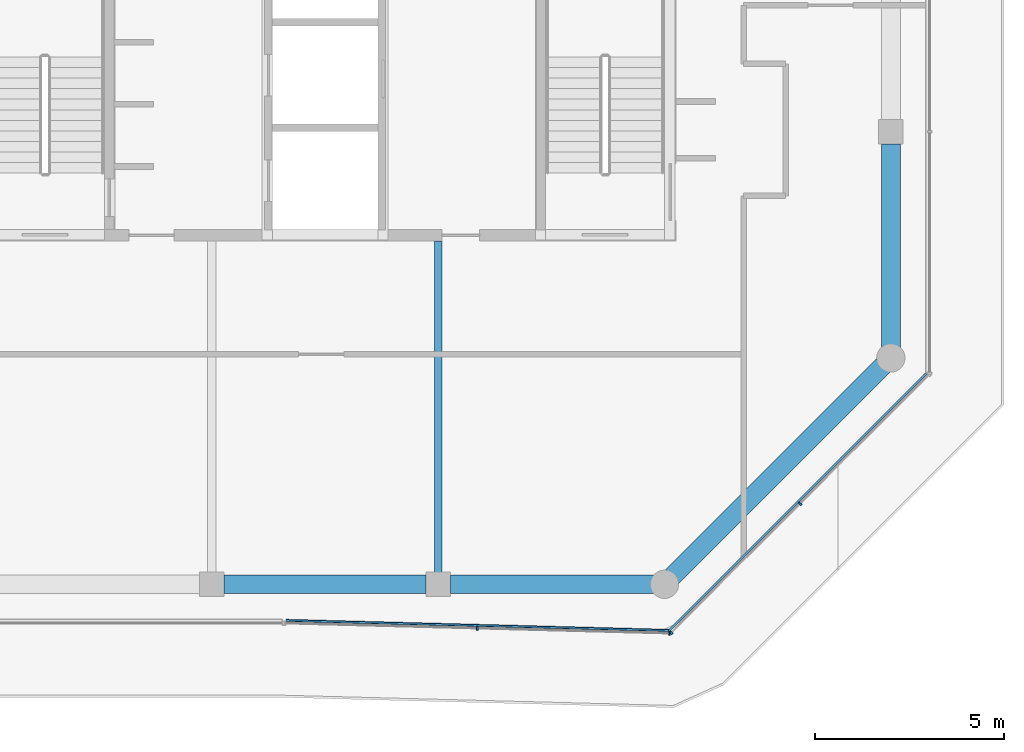
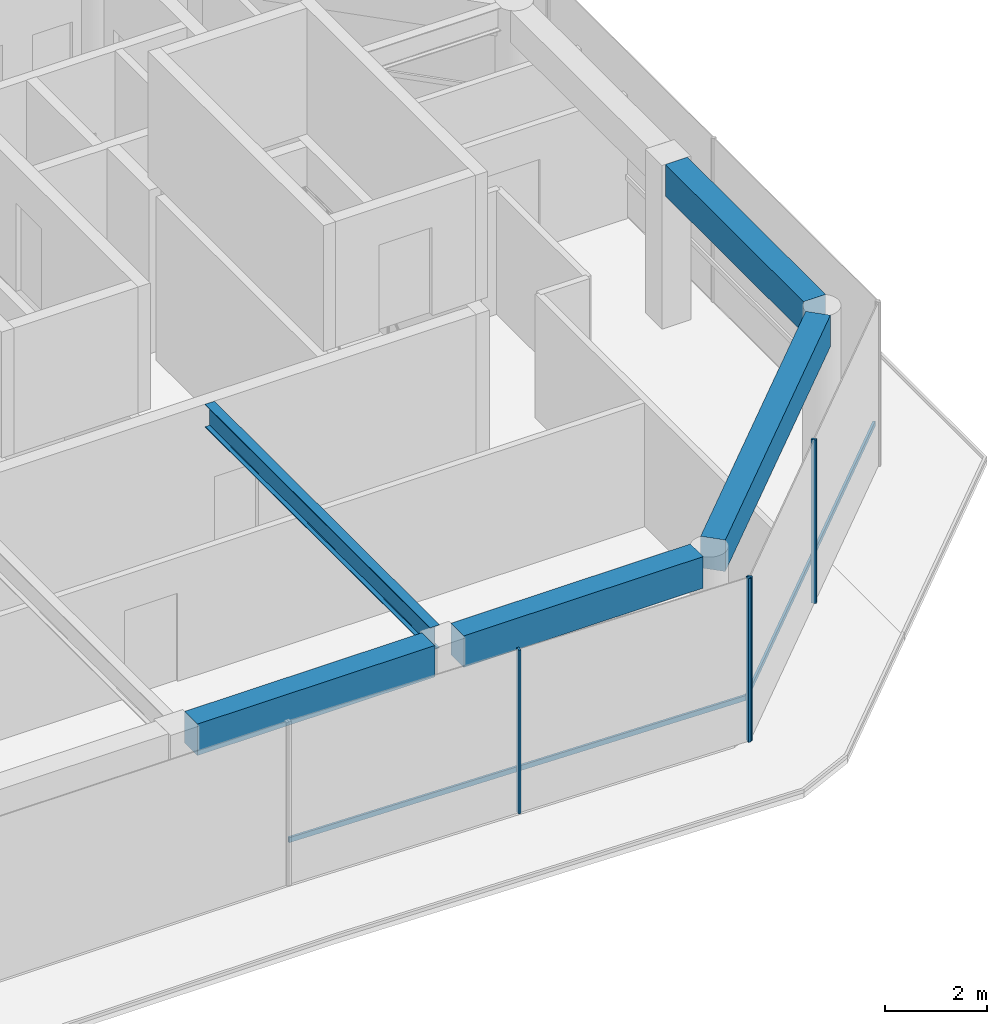
# One storey, part 3 of 15: 6 members, 5 beams, 2 elements without a shape of their own.
"""IFC4 building model written with IfcOpenShell, lengths in metres."""

from ifc_helpers import new_model, si_unit, direction, frame, origin, origin_2d, place, context, subcontext, project, spatial, rectangle, i_section, extrude, material, layer, layer_set, material_profile, profile_set, type_object, element, aggregate, save


model = new_model("IFC4")

# Units and contexts
model_context = context("Model", 3, precision=1e-05, world=origin(), true_north=direction((0.0, 1.0)))
body_context = subcontext(model_context, "Body", "Model", "MODEL_VIEW")
ifc_project = project(units=[si_unit("LENGTHUNIT", "METRE"), si_unit("AREAUNIT", "SQUARE_METRE"), si_unit("VOLUMEUNIT", "CUBIC_METRE"), si_unit("PLANEANGLEUNIT", "RADIAN"), si_unit("MASSUNIT", "GRAM", prefix="KILO")], contexts=[model_context])

# Site, building, storey
site_placement = place(None, origin())
site = spatial("IfcSite", under=ifc_project, at=site_placement, CompositionType="ELEMENT")
building_placement = place(site_placement, origin())
building = spatial("IfcBuilding", under=site, at=building_placement, Name="Welwitschia Terrace Campus", CompositionType="ELEMENT")
storey_placement = place(building_placement, frame((0.0, 0.0, 339.800048828125)))
storey = spatial("IfcBuildingStorey", under=building, at=storey_placement, Name="L76", CompositionType="ELEMENT", Elevation=339.800048828125)

# Beam
ifc_material_1 = material(Name="Steel S355", Category="steel")
ifc_material_profile_1 = material_profile(ifc_material_1, i_section(OverallWidth=0.2099609375, OverallDepth=0.550048828125, WebThickness=0.010986328125, FlangeThickness=0.01708984375, FilletRadius=0.02392578125, at=origin_2d()))
ifc_profile_set_1 = profile_set([ifc_material_profile_1], Name="Steel S355")
beam_type_1 = type_object("IfcBeamType", Name="Interior girder IPE 550", PredefinedType="BEAM", material=ifc_profile_set_1)
beam_1_placement = place(storey_placement, frame((18.0, -3.6845703125, 3.625), z_axis=(0.0, 1.0, 0.0), x_axis=(-1.0, 0.0, 0.0)))
element("IfcBeam", 1, at=beam_1_placement, inside=storey, type_object=beam_type_1, Name="Girder GB7", PredefinedType="BEAM", context=body_context, shape_type="SweptSolid", body=[
    extrude(i_section(OverallWidth=0.2099609375, OverallDepth=0.550048828125, WebThickness=0.010986328125, FlangeThickness=0.01708984375, FilletRadius=0.02392578125, at=origin_2d()), origin(), (0.0, 0.0, 1.0), 8.78369140625),
])

# Curtain wall, members
ifc_material_2 = material(Name="Bronze anodised aluminium", Category="aluminium")
ifc_layer = layer(ifc_material_2, 0.10009765625)
ifc_layer_set = layer_set([ifc_layer], Name="Bronze anodised aluminium")
curtain_wall_type = type_object("IfcCurtainWallType", Name="Curtain wall CW5 crown 6000", PredefinedType="NOTDEFINED", material=ifc_layer_set)
curtain_wall_1_placement = place(storey_placement, origin())
curtain_wall_1 = element("IfcCurtainWall", 2, at=curtain_wall_1_placement, inside=storey, type_object=curtain_wall_type, Name="CW L76.3.0", PredefinedType="NOTDEFINED")
ifc_material_3 = material(Name="Bronze anodised aluminium", Category="aluminium")
ifc_material_profile_2 = material_profile(ifc_material_3, rectangle(XDim=0.10009765625, YDim=0.050048828125, at=origin_2d()))
ifc_profile_set_2 = profile_set([ifc_material_profile_2], Name="Bronze anodised aluminium")
member_type_1 = type_object("IfcMemberType", Name="Mullion 50x100", PredefinedType="MULLION", material=ifc_profile_set_2)
member_1_placement = place(storey_placement, frame((19.035888671875, -5.1640625, 0.0), z_axis=(0.0, 0.0, 1.0), x_axis=(0.026176948308, 0.999657324976, 0.0)))
member_1 = element("IfcMember", 3, at=member_1_placement, type_object=member_type_1, Name="Mullion L76.3.0.1", PredefinedType="MULLION", context=body_context, shape_type="SweptSolid", body=[
    extrude(rectangle(XDim=0.10009765625, YDim=0.050048828125, at=origin_2d()), origin(), (0.0, 0.0, 1.0), 3.89990234375),
])
member_2_placement = place(storey_placement, frame((24.13330078125, -5.297607421875, 0.0), z_axis=(0.0, 0.0, 1.0), x_axis=(0.026176948308, 0.999657324976, 0.0)))
member_2 = element("IfcMember", 4, at=member_2_placement, type_object=member_type_1, Name="Mullion L76.3.0.2", PredefinedType="MULLION", context=body_context, shape_type="SweptSolid", body=[
    extrude(rectangle(XDim=0.10009765625, YDim=0.050048828125, at=origin_2d()), origin(), (0.0, 0.0, 1.0), 3.89990234375),
])

curtain_wall_2_placement = place(storey_placement, origin())
curtain_wall_2 = element("IfcCurtainWall", 5, at=curtain_wall_2_placement, inside=storey, type_object=curtain_wall_type, Name="CW L76.4.0", PredefinedType="NOTDEFINED")
member_3_placement = place(storey_placement, frame((24.176025390625, -5.280517578125, 0.0), z_axis=(0.0, 0.0, 1.0), x_axis=(-0.707106781187, 0.707106781187, 0.0)))
member_3 = element("IfcMember", 6, at=member_3_placement, type_object=member_type_1, Name="Mullion L76.4.0.0", PredefinedType="MULLION", context=body_context, shape_type="SweptSolid", body=[
    extrude(rectangle(XDim=0.10009765625, YDim=0.050048828125, at=origin_2d()), origin(), (0.0, 0.0, 1.0), 3.89990234375),
])
member_4_placement = place(storey_placement, frame((27.59423828125, -1.862548828125, 0.0), z_axis=(0.0, 0.0, 1.0), x_axis=(-0.707106781187, 0.707106781187, 0.0)))
member_4 = element("IfcMember", 7, at=member_4_placement, type_object=member_type_1, Name="Mullion L76.4.0.1", PredefinedType="MULLION", context=body_context, shape_type="SweptSolid", body=[
    extrude(rectangle(XDim=0.10009765625, YDim=0.050048828125, at=origin_2d()), origin(), (0.0, 0.0, 1.0), 3.89990234375),
])

# Beams
ifc_material_4 = material(Name="Concrete C40/50", Category="concrete")
ifc_material_profile_3 = material_profile(ifc_material_4, rectangle(XDim=0.5, YDim=0.75, at=origin_2d()))
ifc_profile_set_3 = profile_set([ifc_material_profile_3], Name="Concrete C40/50")
beam_type_2 = type_object("IfcBeamType", Name="Ring spandrel 500x750", PredefinedType="SPANDREL", material=ifc_profile_set_3)
beam_2_placement = place(storey_placement, frame((12.325439453125, -4.0, 3.52490234375), z_axis=(1.0, 0.0, 0.0), x_axis=(0.0, 1.0, 0.0)))
element("IfcBeam", 8, at=beam_2_placement, inside=storey, type_object=beam_type_2, Name="Spandrel SP5", PredefinedType="SPANDREL", context=body_context, shape_type="SweptSolid", body=[
    extrude(rectangle(XDim=0.5, YDim=0.75, at=origin_2d()), origin(), (0.0, 0.0, 1.0), 5.34912109375),
])
beam_3_placement = place(storey_placement, frame((18.325439453125, -4.0, 3.52490234375), z_axis=(1.0, 0.0, 0.0), x_axis=(0.0, 1.0, 0.0)))
element("IfcBeam", 9, at=beam_3_placement, inside=storey, type_object=beam_type_2, Name="Spandrel SP5", PredefinedType="SPANDREL", context=body_context, shape_type="SweptSolid", body=[
    extrude(rectangle(XDim=0.5, YDim=0.75, at=origin_2d()), origin(), (0.0, 0.0, 1.0), 5.39404296875),
])
beam_4_placement = place(storey_placement, frame((24.1982421875, -3.8017578125, 3.52490234375), z_axis=(0.707106781187, 0.707106781187, 0.0), x_axis=(-0.707106781187, 0.707106781187, 0.0)))
element("IfcBeam", 10, at=beam_4_placement, inside=storey, type_object=beam_type_2, Name="Spandrel SP5", PredefinedType="SPANDREL", context=body_context, shape_type="SweptSolid", body=[
    extrude(rectangle(XDim=0.5, YDim=0.75, at=origin_2d()), origin(), (0.0, 0.0, 1.0), 7.924560546875),
])
beam_5_placement = place(storey_placement, frame((30.0, 2.280517578125, 3.52490234375), z_axis=(0.0, 1.0, 0.0), x_axis=(-1.0, 0.0, 0.0)))
element("IfcBeam", 11, at=beam_5_placement, inside=storey, type_object=beam_type_2, Name="Spandrel SP5", PredefinedType="SPANDREL", context=body_context, shape_type="SweptSolid", body=[
    extrude(rectangle(XDim=0.5, YDim=0.75, at=origin_2d()), origin(), (0.0, 0.0, 1.0), 5.39404296875),
])

# Member
ifc_material_5 = material(Name="Bronze anodised aluminium", Category="aluminium")
ifc_material_profile_4 = material_profile(ifc_material_5, rectangle(XDim=0.050048828125, YDim=0.1201171875, at=origin_2d()))
ifc_profile_set_4 = profile_set([ifc_material_profile_4], Name="Bronze anodised aluminium")
member_type_2 = type_object("IfcMemberType", Name="Transom 50x120", PredefinedType="USERDEFINED", material=ifc_profile_set_4)
member_5_placement = place(storey_placement, frame((13.96533203125, -4.956298828125, 1.0), z_axis=(0.999657406673, -0.026173828235, 0.0), x_axis=(0.026173828235, 0.999657406673, 0.0)))
member_5 = element("IfcMember", 12, at=member_5_placement, type_object=member_type_2, Name="Transom L76.3.0", ObjectType="TRANSOM", PredefinedType="USERDEFINED", context=body_context, shape_type="SweptSolid", body=[
    extrude(rectangle(XDim=0.050048828125, YDim=0.1201171875, at=origin_2d()), origin(), (0.0, 0.0, 1.0), 10.1484375),
])

aggregate(curtain_wall_1, [member_1, member_2, member_5])

member_6_placement = place(storey_placement, frame((24.140625, -5.2099609375, 1.0), z_axis=(0.707106781187, 0.707106781187, 0.0), x_axis=(-0.707106781187, 0.707106781187, 0.0)))
member_6 = element("IfcMember", 13, at=member_6_placement, type_object=member_type_2, Name="Transom L76.4.0", ObjectType="TRANSOM", PredefinedType="USERDEFINED", context=body_context, shape_type="SweptSolid", body=[
    extrude(rectangle(XDim=0.050048828125, YDim=0.1201171875, at=origin_2d()), origin(), (0.0, 0.0, 1.0), 9.6181640625),
])

aggregate(curtain_wall_2, [member_3, member_4, member_6])

save(model, "model.ifc")
